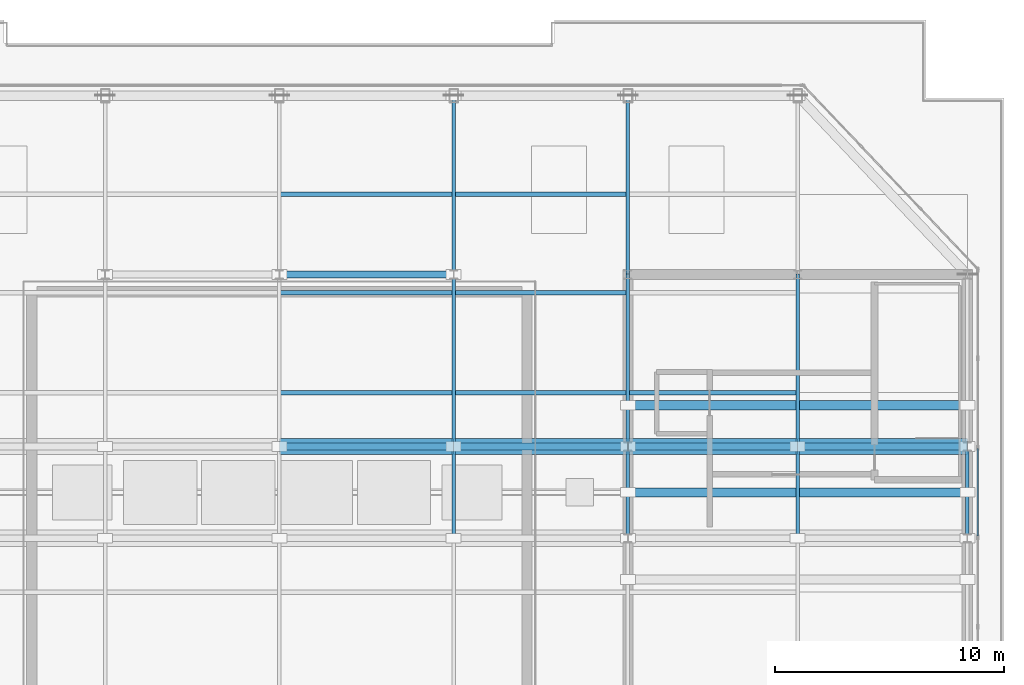
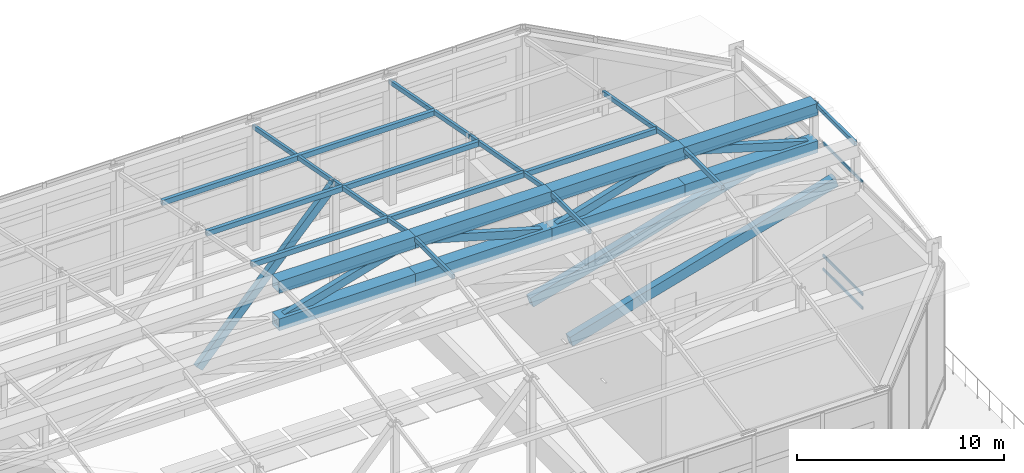
# One storey, part 14 of 25: 31 members, 1 element without a shape of its own.
"""IFC4 building model written with IfcOpenShell, lengths in metres."""

from ifc_helpers import new_model, si_unit, direction, frame, origin, origin_2d, place, context, subcontext, project, spatial, hollow_rectangle, extrude, source, transform, mapped, material, layer, layer_set, material_profile, profile_set, type_object, type_shapes, element, aggregate, save


model = new_model("IFC4")

# Units and contexts
model_context = context("Model", 3, precision=1e-05, world=origin(), true_north=direction((0.0, 1.0)))
body_context = subcontext(model_context, "Body", "Model", "MODEL_VIEW")
ifc_project = project(units=[si_unit("LENGTHUNIT", "METRE"), si_unit("AREAUNIT", "SQUARE_METRE"), si_unit("VOLUMEUNIT", "CUBIC_METRE"), si_unit("PLANEANGLEUNIT", "RADIAN"), si_unit("MASSUNIT", "GRAM", prefix="KILO")], contexts=[model_context])

# Site, building, storey
site_placement = place(None, origin())
site = spatial("IfcSite", under=ifc_project, at=site_placement, CompositionType="ELEMENT")
building_placement = place(site_placement, origin())
building = spatial("IfcBuilding", under=site, at=building_placement, Name="Haelvirn Gate Laboratories", CompositionType="ELEMENT")
storey_placement = place(building_placement, frame((0.0, 0.0, 337.800048828125)))
storey = spatial("IfcBuildingStorey", under=building, at=storey_placement, Name="RF", CompositionType="ELEMENT", Elevation=337.800048828125)

# Members
ifc_material_1 = material(Name="Steel SM420", Category="steel")
ifc_material_profile_1 = material_profile(ifc_material_1, hollow_rectangle(XDim=0.300048828125, YDim=0.449951171875, WallThickness=0.02001953125, at=origin_2d()), Name="BOX-450x300x20")
ifc_profile_set_1 = profile_set([ifc_material_profile_1], Name="Steel SM420")
member_type_1 = type_object("IfcMemberType", Name="MEM-CROWN-BR", PredefinedType="USERDEFINED", material=ifc_profile_set_1)
shared_shape_1 = source(origin(), body_context, "Body", "SweptSolid", [
    extrude(hollow_rectangle(XDim=0.300048828125, YDim=0.449951171875, WallThickness=0.02001953125, at=origin_2d()), origin(), (0.0, 0.0, 1.0), 11.188720703125),
])
member_1_placement = place(storey_placement, frame((37.39990234375, 33.800048828125, 0.300048828125), z_axis=(0.679270956852, 0.0, 0.733887571211), x_axis=(0.0, 1.0, 0.0)))
element("IfcMember", 1, at=member_1_placement, inside=storey, type_object=member_type_1, Name="RF Crown Frame Interior Brace N2", ObjectType="CROWN FRAME", PredefinedType="USERDEFINED", context=body_context, shape_type="MappedRepresentation", body=[
    mapped(shared_shape_1, transform((0.0, 0.0, 0.0), scale=1.0)),
])
ifc_material_profile_2 = material_profile(ifc_material_1, hollow_rectangle(XDim=0.39990234375, YDim=0.60009765625, WallThickness=0.02490234375, at=origin_2d()), Name="BOX-600x400x25")
ifc_profile_set_2 = profile_set([ifc_material_profile_2], Name="Steel SM420")
member_type_2 = type_object("IfcMemberType", Name="MEM-CROWN-POST", PredefinedType="USERDEFINED", material=ifc_profile_set_2)
shared_shape_2 = source(origin(), body_context, "Body", "SweptSolid", [
    extrude(hollow_rectangle(XDim=0.39990234375, YDim=0.60009765625, WallThickness=0.02490234375, at=origin_2d()), origin(), (0.0, 0.0, 1.0), 15.39794921875),
])
type_shapes(member_type_2, [shared_shape_2])
for number, where, z_axis, x_axis, name in (
    (2, (52.60009765625, 24.300048828125, 2.349853515625), (0.961154519007, 0.0, 0.276010852308), (0.0, 1.0, 0.0), "RF East Core Crown Bracing Strut 2"),
    (3, (52.60009765625, 28.10009765625, 2.349853515625), (0.961154519007, 0.0, 0.276010852308), (0.0, 1.0, 0.0), "RF East Core Crown Bracing Strut 3"),
):
    element("IfcMember", number, at=place(storey_placement, frame(where, z_axis=z_axis, x_axis=x_axis)), inside=storey, type_object=member_type_2, Name=name, ObjectType="CROWN FRAME", PredefinedType="USERDEFINED", context=body_context, shape_type="MappedRepresentation", body=[
        mapped(shared_shape_2, transform((0.0, 0.0, 0.0), scale=1.0)),
    ])
ifc_material_profile_3 = material_profile(ifc_material_1, hollow_rectangle(XDim=0.699951171875, YDim=0.699951171875, WallThickness=0.031982421875, at=origin_2d()), Name="BOX-700x700x32")
ifc_profile_set_3 = profile_set([ifc_material_profile_3], Name="Steel SM420")
member_type_3 = type_object("IfcMemberType", Name="MEM-ARCH-RIB", PredefinedType="CHORD", material=ifc_profile_set_3)
shared_shape_3 = source(origin(), body_context, "Body", "SweptSolid", [
    extrude(hollow_rectangle(XDim=0.699951171875, YDim=0.699951171875, WallThickness=0.031982421875, at=origin_2d()), origin(), (0.0, 0.0, 1.0), 7.39990234375),
])
for number, where, z_axis, x_axis, name in (
    (4, (52.60009765625, 26.300048828125, 9.75537109375), (1.0, 0.0, 0.0), (0.0, 1.0, 0.0), "RF Vault Ridge Top Chord N-7"),
    (5, (52.60009765625, 26.300048828125, 7.550048828125), (1.0, 0.0, 0.0), (0.0, 1.0, 0.0), "RF Vault Ridge Bottom Chord N-7"),
    (6, (60.0, 26.300048828125, 9.75537109375), (1.0, 0.0, 0.0), (0.0, 1.0, 0.0), "RF Vault Ridge Top Chord N-8"),
    (7, (60.0, 26.300048828125, 7.550048828125), (1.0, 0.0, 0.0), (0.0, 1.0, 0.0), "RF Vault Ridge Bottom Chord N-8"),
):
    element("IfcMember", number, at=place(storey_placement, frame(where, z_axis=z_axis, x_axis=x_axis)), inside=storey, type_object=member_type_3, Name=name, PredefinedType="CHORD", context=body_context, shape_type="MappedRepresentation", body=[
        mapped(shared_shape_3, transform((0.0, 0.0, 0.0), scale=1.0)),
    ])
shared_shape_4 = source(origin(), body_context, "Body", "SweptSolid", [
    extrude(hollow_rectangle(XDim=0.300048828125, YDim=0.449951171875, WallThickness=0.02001953125, at=origin_2d()), origin(), (0.0, 0.0, 1.0), 7.721435546875),
])
for number, where, z_axis, x_axis, name in (
    (8, (52.60009765625, 26.300048828125, 7.550048828125), (0.958346838924, 0.0, 0.285606961267), (0.0, 1.0, 0.0), "RF Vault Ridge Truss Web N-7"),
    (9, (60.0, 26.300048828125, 9.75537109375), (0.958346838924, 0.0, -0.285606961267), (0.0, 1.0, 0.0), "RF Vault Ridge Truss Web N-8"),
):
    element("IfcMember", number, at=place(storey_placement, frame(where, z_axis=z_axis, x_axis=x_axis)), inside=storey, type_object=member_type_1, Name=name, ObjectType="CROWN FRAME", PredefinedType="USERDEFINED", context=body_context, shape_type="MappedRepresentation", body=[
        mapped(shared_shape_4, transform((0.0, 0.0, 0.0), scale=1.0)),
    ])
shared_shape_5 = source(origin(), body_context, "Body", "SweptSolid", [
    extrude(hollow_rectangle(XDim=0.699951171875, YDim=0.699951171875, WallThickness=0.031982421875, at=origin_2d()), origin(), (0.0, 0.0, 1.0), 7.60009765625),
])
type_shapes(member_type_3, [shared_shape_3, shared_shape_5])
for number, where, z_axis, x_axis, name in (
    (10, (37.39990234375, 26.300048828125, 9.75537109375), (1.0, 0.0, 0.0), (0.0, 1.0, 0.0), "RF Vault Ridge Top Chord N-5"),
    (11, (37.39990234375, 26.300048828125, 7.550048828125), (1.0, 0.0, 0.0), (0.0, 1.0, 0.0), "RF Vault Ridge Bottom Chord N-5"),
    (12, (45.0, 26.300048828125, 9.75537109375), (1.0, 0.0, 0.0), (0.0, 1.0, 0.0), "RF Vault Ridge Top Chord N-6"),
    (13, (45.0, 26.300048828125, 7.550048828125), (1.0, 0.0, 0.0), (0.0, 1.0, 0.0), "RF Vault Ridge Bottom Chord N-6"),
):
    element("IfcMember", number, at=place(storey_placement, frame(where, z_axis=z_axis, x_axis=x_axis)), inside=storey, type_object=member_type_3, Name=name, PredefinedType="CHORD", context=body_context, shape_type="MappedRepresentation", body=[
        mapped(shared_shape_5, transform((0.0, 0.0, 0.0), scale=1.0)),
    ])
shared_shape_6 = source(origin(), body_context, "Body", "SweptSolid", [
    extrude(hollow_rectangle(XDim=0.300048828125, YDim=0.449951171875, WallThickness=0.02001953125, at=origin_2d()), origin(), (0.0, 0.0, 1.0), 7.91357421875),
])
type_shapes(member_type_1, [shared_shape_1, shared_shape_4, shared_shape_6])
for number, where, z_axis, x_axis, name in (
    (14, (37.39990234375, 26.300048828125, 7.550048828125), (0.960385387725, 0.0, 0.278675271677), (0.0, 1.0, 0.0), "RF Vault Ridge Truss Web N-5"),
    (15, (45.0, 26.300048828125, 9.75537109375), (0.960385387725, 0.0, -0.278675271677), (0.0, 1.0, 0.0), "RF Vault Ridge Truss Web N-6"),
):
    element("IfcMember", number, at=place(storey_placement, frame(where, z_axis=z_axis, x_axis=x_axis)), inside=storey, type_object=member_type_1, Name=name, ObjectType="CROWN FRAME", PredefinedType="USERDEFINED", context=body_context, shape_type="MappedRepresentation", body=[
        mapped(shared_shape_6, transform((0.0, 0.0, 0.0), scale=1.0)),
    ])
ifc_material_2 = material(Name="Steel SM355", Category="steel")
ifc_material_profile_4 = material_profile(ifc_material_2, hollow_rectangle(XDim=0.14990234375, YDim=0.25, WallThickness=0.010009765625, at=origin_2d()), Name="RHS-250x150x10")
ifc_profile_set_4 = profile_set([ifc_material_profile_4], Name="Steel SM355")
member_type_4 = type_object("IfcMemberType", Name="MEM-CROWN-RAF", PredefinedType="RAFTER", material=ifc_profile_set_4)
shared_shape_7 = source(origin(), body_context, "Body", "SweptSolid", [
    extrude(hollow_rectangle(XDim=0.14990234375, YDim=0.25, WallThickness=0.010009765625, at=origin_2d()), origin(), (0.0, 0.0, 1.0), 7.626708984375),
])
for number, where, z_axis, x_axis, name in (
    (16, (45.0, 26.300048828125, 9.955322265625), (0.0, 0.983390092547, -0.181504616691), (-1.0, 0.0, 0.0), "RF Vault Rafter Chord X45.0-4"),
    (17, (52.60009765625, 26.300048828125, 9.955322265625), (0.0, 0.983390092547, -0.181504616691), (-1.0, 0.0, 0.0), "RF Vault Rafter Chord X52.6-4"),
    (18, (60.0, 26.300048828125, 9.955322265625), (0.0, 0.983390092547, -0.181504616691), (-1.0, 0.0, 0.0), "RF Vault Rafter Chord X60.0-4"),
):
    element("IfcMember", number, at=place(storey_placement, frame(where, z_axis=z_axis, x_axis=x_axis)), inside=storey, type_object=member_type_4, Name=name, PredefinedType="RAFTER", context=body_context, shape_type="MappedRepresentation", body=[
        mapped(shared_shape_7, transform((0.0, 0.0, 0.0), scale=1.0)),
    ])
shared_shape_8 = source(origin(), body_context, "Body", "SweptSolid", [
    extrude(hollow_rectangle(XDim=0.14990234375, YDim=0.25, WallThickness=0.010009765625, at=origin_2d()), origin(), (0.0, 0.0, 1.0), 4.0),
])
for number, where, z_axis, x_axis, name in (
    (19, (67.39990234375, 22.300048828125, 9.955322265625), (0.0, 1.0, 0.0), (-1.0, 0.0, 0.0), "RF Vault End Rafter X67.4-2"),
    (20, (45.0, 22.300048828125, 9.955322265625), (0.0, 1.0, 0.0), (-1.0, 0.0, 0.0), "RF Vault Rafter Chord X45.0-3"),
    (21, (52.60009765625, 22.300048828125, 9.955322265625), (0.0, 1.0, 0.0), (-1.0, 0.0, 0.0), "RF Vault Rafter Chord X52.6-3"),
    (22, (60.0, 22.300048828125, 9.955322265625), (0.0, 1.0, 0.0), (-1.0, 0.0, 0.0), "RF Vault Rafter Chord X60.0-3"),
):
    element("IfcMember", number, at=place(storey_placement, frame(where, z_axis=z_axis, x_axis=x_axis)), inside=storey, type_object=member_type_4, Name=name, PredefinedType="RAFTER", context=body_context, shape_type="MappedRepresentation", body=[
        mapped(shared_shape_8, transform((0.0, 0.0, 0.0), scale=1.0)),
    ])
shared_shape_9 = source(origin(), body_context, "Body", "SweptSolid", [
    extrude(hollow_rectangle(XDim=0.14990234375, YDim=0.25, WallThickness=0.010009765625, at=origin_2d()), origin(), (0.0, 0.0, 1.0), 7.9375),
])
type_shapes(member_type_4, [shared_shape_7, shared_shape_8, shared_shape_9])
for number, where, z_axis, x_axis, name in (
    (23, (45.0, 33.800048828125, 8.571044921875), (0.0, 0.982673493777, -0.185345096044), (-1.0, 0.0, 0.0), "RF Vault Rafter Chord X45.0-5"),
    (24, (52.60009765625, 33.800048828125, 8.571044921875), (0.0, 0.982673493777, -0.185345096044), (-1.0, 0.0, 0.0), "RF Vault Rafter Chord X52.6-5"),
):
    element("IfcMember", number, at=place(storey_placement, frame(where, z_axis=z_axis, x_axis=x_axis)), inside=storey, type_object=member_type_4, Name=name, PredefinedType="RAFTER", context=body_context, shape_type="MappedRepresentation", body=[
        mapped(shared_shape_9, transform((0.0, 0.0, 0.0), scale=1.0)),
    ])
ifc_material_profile_5 = material_profile(ifc_material_2, hollow_rectangle(XDim=0.199951171875, YDim=0.300048828125, WallThickness=0.011962890625, at=origin_2d()), Name="RHS-300x200x12")
ifc_profile_set_5 = profile_set([ifc_material_profile_5], Name="Steel SM355")
member_type_5 = type_object("IfcMemberType", Name="MEM-ROOF-PURL", PredefinedType="PURLIN", material=ifc_profile_set_5)
shared_shape_10 = source(origin(), body_context, "Body", "SweptSolid", [
    extrude(hollow_rectangle(XDim=0.199951171875, YDim=0.300048828125, WallThickness=0.011962890625, at=origin_2d()), origin(), (0.0, 0.0, 1.0), 7.39990234375),
])
member_2_placement = place(storey_placement, frame((52.60009765625, 28.64990234375, 9.5), z_axis=(1.0, 0.0, 0.0), x_axis=(0.0, 1.0, 0.0)))
element("IfcMember", 25, at=member_2_placement, inside=storey, type_object=member_type_5, Name="RF Vault Purlin 4 (52.6-60.0)", PredefinedType="PURLIN", context=body_context, shape_type="MappedRepresentation", body=[
    mapped(shared_shape_10, transform((0.0, 0.0, 0.0), scale=1.0)),
])
shared_shape_11 = source(origin(), body_context, "Body", "SweptSolid", [
    extrude(hollow_rectangle(XDim=0.199951171875, YDim=0.300048828125, WallThickness=0.011962890625, at=origin_2d()), origin(), (0.0, 0.0, 1.0), 15.2001953125),
])
type_shapes(member_type_5, [shared_shape_10, shared_shape_11])
for number, where, z_axis, x_axis, name in (
    (26, (37.39990234375, 28.64990234375, 9.5), (1.0, 0.0, 0.0), (0.0, 1.0, 0.0), "RF Vault Purlin 4 (37.4-52.6)"),
    (27, (37.39990234375, 33.0, 8.699951171875), (1.0, 0.0, 0.0), (0.0, 1.0, 0.0), "RF Vault Purlin 5 (37.4-52.6)"),
    (28, (37.39990234375, 37.300048828125, 7.89990234375), (1.0, 0.0, 0.0), (0.0, 1.0, 0.0), "RF Vault Purlin 6 (37.4-52.6)"),
):
    element("IfcMember", number, at=place(storey_placement, frame(where, z_axis=z_axis, x_axis=x_axis)), inside=storey, type_object=member_type_5, Name=name, PredefinedType="PURLIN", context=body_context, shape_type="MappedRepresentation", body=[
        mapped(shared_shape_11, transform((0.0, 0.0, 0.0), scale=1.0)),
    ])

# Curtain wall, members
ifc_material_3 = material(Name="Anodised bronze unitised aluminium & triple low-E glass", Category="aluminium")
ifc_layer = layer(ifc_material_3, 0.19189453125, Name="CW-SYS-6")
ifc_layer_set = layer_set([ifc_layer], Name="Anodised bronze unitised aluminium & triple low-E glass")
curtain_wall_type = type_object("IfcCurtainWallType", Name="CW-SYS-6", PredefinedType="NOTDEFINED", material=ifc_layer_set)
curtain_wall_placement = place(storey_placement, origin())
curtain_wall = element("IfcCurtainWall", 29, at=curtain_wall_placement, inside=storey, type_object=curtain_wall_type, Name="RF Unitised Curtain Wall CW-RF-RING-02", PredefinedType="NOTDEFINED")
ifc_material_4 = material(Name="Extruded aluminium 6063-T6 (anodised bronze)", Category="aluminium")
ifc_material_profile_6 = material_profile(ifc_material_4, hollow_rectangle(XDim=0.070068359375, YDim=0.159912109375, WallThickness=0.0048828125, at=origin_2d()), Name="CWT-160x70x5")
ifc_profile_set_6 = profile_set([ifc_material_profile_6], Name="Extruded aluminium 6063-T6 (anodised bronze)")
member_type_6 = type_object("IfcMemberType", Name="CWT-T160", PredefinedType="USERDEFINED", material=ifc_profile_set_6)
shared_shape_12 = source(origin(), body_context, "Body", "SweptSolid", [
    extrude(hollow_rectangle(XDim=0.070068359375, YDim=0.159912109375, WallThickness=0.0048828125, at=origin_2d()), origin(), (0.0, 0.0, 1.0), 3.820068359375),
])
type_shapes(member_type_6, [shared_shape_12])
member_3_placement = place(storey_placement, frame((67.85009765625, 22.389892578125, 0.034912109375), z_axis=(0.0, 1.0, 0.0), x_axis=(-1.0, 0.0, 0.0)))
member_3 = element("IfcMember", 30, at=member_3_placement, type_object=member_type_6, Name="CW6 transom 3.1", ObjectType="TRANSOM", PredefinedType="USERDEFINED", context=body_context, shape_type="MappedRepresentation", body=[
    mapped(shared_shape_12, transform((0.0, 0.0, 0.0), scale=1.0)),
])
member_4_placement = place(storey_placement, frame((67.85009765625, 22.389892578125, 0.849853515625), z_axis=(0.0, 1.0, 0.0), x_axis=(-1.0, 0.0, 0.0)))
member_4 = element("IfcMember", 31, at=member_4_placement, type_object=member_type_6, Name="CW6 transom 3.2", ObjectType="TRANSOM", PredefinedType="USERDEFINED", context=body_context, shape_type="MappedRepresentation", body=[
    mapped(shared_shape_12, transform((0.0, 0.0, 0.0), scale=1.0)),
])
member_5_placement = place(storey_placement, frame((67.85009765625, 22.389892578125, 7.46484375), z_axis=(0.0, 1.0, 0.0), x_axis=(-1.0, 0.0, 0.0)))
member_5 = element("IfcMember", 32, at=member_5_placement, type_object=member_type_6, Name="CW6 transom 3.3", ObjectType="TRANSOM", PredefinedType="USERDEFINED", context=body_context, shape_type="MappedRepresentation", body=[
    mapped(shared_shape_12, transform((0.0, 0.0, 0.0), scale=1.0)),
])
aggregate(curtain_wall, [member_3, member_4, member_5])

save(model, "model.ifc")
